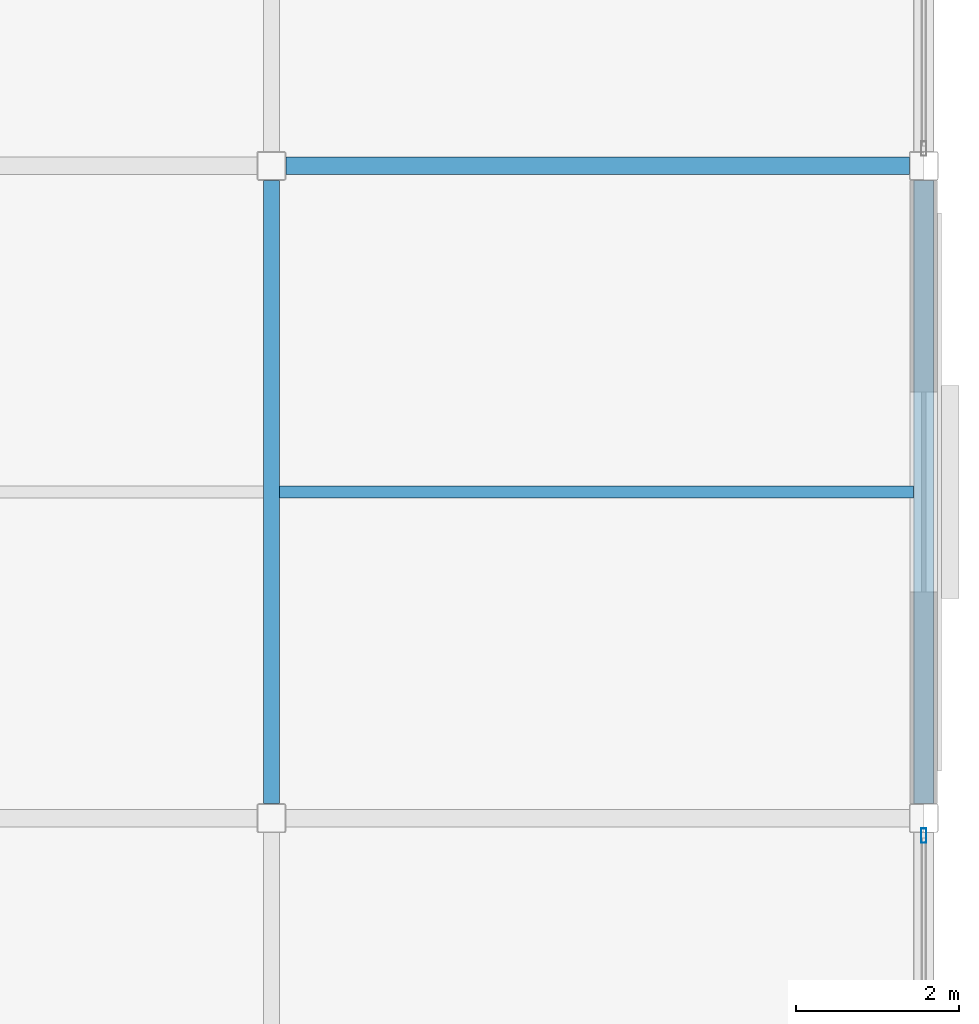
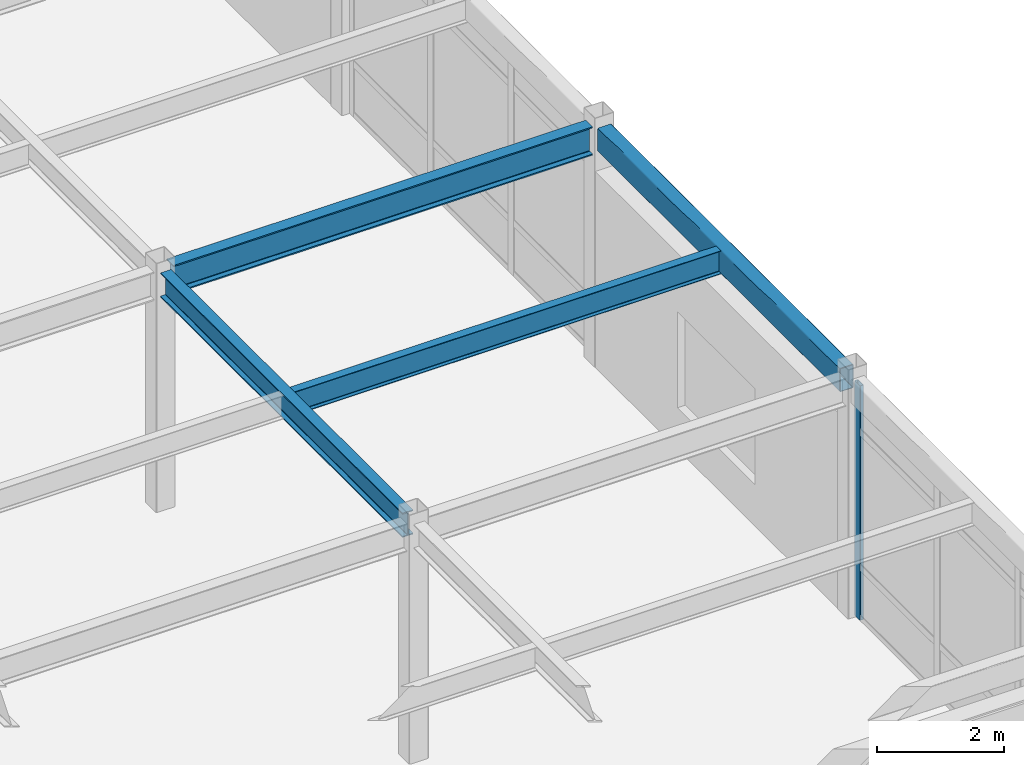
# One storey, part 69 of 117: 4 beams, 1 member, 1 element without a shape of its own.
"""IFC4 building model written with IfcOpenShell, lengths in metres."""

import ifcopenshell
import ifcopenshell.guid

model = None  # the IFC model being written
_history = None  # IfcOwnerHistory: only IFC2X3 demands one
_inside = {}  # id of a spatial element -> (the spatial element, [elements in it])
_under = {}  # id of a project, library or spatial element -> (it, [spatial elements below it])
_declared = {}  # id of a project -> (the project, [libraries it declares])
_typed = {}  # id of a type object -> (the type object, [elements of that type])
_made_of = {}  # id of a material, layer set ... -> (it, [elements and type objects made of it])


def new_model(schema):
    """Start an empty IFC model of exactly this schema.

    Asked for "IFC4X3", IfcOpenShell would pick the latest addendum, in which some entities
    have other attributes; the version numbers below select the first issue.
    IFC2X3 requires an IfcOwnerHistory on every rooted entity: one is made here for all.
    """
    global model, _history
    if schema == "IFC4X3":
        model = ifcopenshell.file(schema_version=(4, 3, 0, 0))
    else:
        model = ifcopenshell.file(schema=schema)
    _inside.clear()
    _under.clear()
    _declared.clear()
    _typed.clear()
    _made_of.clear()
    _history = None
    if model.schema == "IFC2X3":
        org = make("IfcOrganization", Name="unknown")
        user = make(
            "IfcPersonAndOrganization",
            ThePerson=make("IfcPerson", FamilyName="unknown"),
            TheOrganization=org,
        )
        app = make(
            "IfcApplication",
            ApplicationDeveloper=org,
            Version="unknown",
            ApplicationFullName="unknown",
            ApplicationIdentifier="unknown",
        )
        _history = make(
            "IfcOwnerHistory",
            OwningUser=user,
            OwningApplication=app,
            ChangeAction="ADDED",
            CreationDate=0,
        )
    return model


def make(cls, **values):
    """One entity of the class cls with the attributes given. An attribute that is None is left unset."""
    return model.create_entity(
        cls, **{name: value for name, value in values.items() if value is not None}
    )


def rooted(cls, **values):
    """An entity with a GlobalId (a new one), such as an element, a storey or a relation."""
    return make(cls, GlobalId=ifcopenshell.guid.new(), OwnerHistory=_history, **values)


def si_unit(unit_type, name, prefix=None):
    """IfcSIUnit, for example si_unit("LENGTHUNIT", "METRE", prefix="MILLI")."""
    return make("IfcSIUnit", UnitType=unit_type, Prefix=prefix, Name=name)


def assignment(units):
    """IfcUnitAssignment: the units of a project."""
    return None if units is None else make("IfcUnitAssignment", Units=units)


def point(xyz):
    """IfcCartesianPoint."""
    return None if xyz is None else make("IfcCartesianPoint", Coordinates=xyz)


def direction(xyz):
    """IfcDirection."""
    return None if xyz is None else make("IfcDirection", DirectionRatios=xyz)


def frame(location, z_axis=None, x_axis=None):
    """IfcAxis2Placement3D, a coordinate frame: its origin and axes. An axis left out is left unset."""
    return make(
        "IfcAxis2Placement3D",
        Location=point(location),
        Axis=direction(z_axis),
        RefDirection=direction(x_axis),
    )


def frame_2d(location, x_axis=None):
    """IfcAxis2Placement2D, a coordinate frame in the plane: its origin and x axis."""
    return make(
        "IfcAxis2Placement2D", Location=point(location), RefDirection=direction(x_axis)
    )


def origin():
    """The frame at (0, 0, 0) with its axes left unset."""
    return frame((0.0, 0.0, 0.0))


def origin_2d():
    """The frame at (0, 0) in the plane with its x axis left unset."""
    return frame_2d((0.0, 0.0))


def place(relative_to, where):
    """IfcLocalPlacement: puts the frame where relative to a parent placement (None: the world)."""
    return make(
        "IfcLocalPlacement", PlacementRelTo=relative_to, RelativePlacement=where
    )


def context(
    kind, dimensions, precision=None, world=None, true_north=None, identifier=None
):
    """IfcGeometricRepresentationContext, for example the 3D "Model" context."""
    return make(
        "IfcGeometricRepresentationContext",
        ContextIdentifier=identifier,
        ContextType=kind,
        CoordinateSpaceDimension=dimensions,
        Precision=precision,
        WorldCoordinateSystem=world,
        TrueNorth=true_north,
    )


def subcontext(parent, identifier, kind, view, scale=None):
    """IfcGeometricRepresentationSubContext, for example "Body" below "Model"."""
    return make(
        "IfcGeometricRepresentationSubContext",
        ContextIdentifier=identifier,
        ContextType=kind,
        ParentContext=parent,
        TargetScale=scale,
        TargetView=view,
    )


def project(units=None, contexts=None):
    """IfcProject with its units and contexts."""
    return rooted(
        "IfcProject",
        Name="project",
        RepresentationContexts=contexts,
        UnitsInContext=assignment(units),
    )


def spatial(cls, under=None, at=None, **own):
    """A site, building, storey or space (cls), placed at a placement, below another one or the project."""
    s = rooted(cls, ObjectPlacement=at, **own)
    if under is not None:
        _under.setdefault(under.id(), (under, []))[1].append(s)
    return s


def profile(cls, at=None, kind="AREA", **sizes):
    """A parametric profile (cls). Its sizes go by their IFC names, for example OverallWidth=200.0."""
    return make(cls, ProfileType=kind, Position=at, **sizes)


def hollow_rectangle(**sizes):
    """IfcRectangleHollowProfileDef."""
    return profile("IfcRectangleHollowProfileDef", **sizes)


def i_section(**sizes):
    """IfcIShapeProfileDef."""
    return profile("IfcIShapeProfileDef", **sizes)


def extrude(swept, where, along, depth):
    """IfcExtrudedAreaSolid: the profile swept, set in the frame where, extruded along a direction by depth."""
    return make(
        "IfcExtrudedAreaSolid",
        SweptArea=swept,
        Position=where,
        ExtrudedDirection=direction(along),
        Depth=depth,
    )


def shape(context_of_items, identifier, shape_type, items):
    """IfcShapeRepresentation: the items that make up one representation, for example the "Body"."""
    return make(
        "IfcShapeRepresentation",
        ContextOfItems=context_of_items,
        RepresentationIdentifier=identifier,
        RepresentationType=shape_type,
        Items=items,
    )


def material(Name=None, Category=None):
    """IfcMaterial."""
    return make("IfcMaterial", Name=Name, Category=Category)


def material_profile(
    of_material, cross_section, Name=None, Category=None, Priority=None
):
    """IfcMaterialProfile: a cross section and its material."""
    return make(
        "IfcMaterialProfile",
        Name=Name,
        Material=of_material,
        Profile=cross_section,
        Priority=Priority,
        Category=Category,
    )


def profile_set(profiles, Name=None, composite=None):
    """IfcMaterialProfileSet."""
    return make(
        "IfcMaterialProfileSet",
        Name=Name,
        MaterialProfiles=profiles,
        CompositeProfile=composite,
    )


def made_of(thing, what):
    """Note that an element or type object is made of a material, layer set ...; save() writes the relation."""
    if what is not None:
        _made_of.setdefault(what.id(), (what, []))[1].append(thing)
    return thing


def type_object(cls, material=None, **own):
    """A type object (cls), such as IfcWallType, which elements share."""
    return made_of(rooted(cls, **own), material)


def element(
    cls,
    number,
    at=None,
    inside=None,
    cuts=None,
    type_object=None,
    material=None,
    context=None,
    identifier="Body",
    shape_type=None,
    held_by="IfcProductDefinitionShape",
    body=None,
    shapes=None,
    **own,
):
    """One element of the class cls, such as IfcWall. Its Tag is "e" and its number.

    at: its placement. inside: the storey or other place that contains it. cuts: it is an
    opening in that element (IfcRelVoidsElement). A single representation is given by context,
    identifier, shape_type and body (its items); several are given by shapes. held_by: the class
    of the entity that holds the representations. save() writes the other relations.
    """
    e = rooted(cls, Tag="e%d" % number, ObjectPlacement=at, **own)
    if body is not None:
        shapes = [shape(context, identifier, shape_type, body)]
    if shapes is not None:
        e.Representation = make(held_by, Representations=shapes)
    if inside is not None:
        _inside.setdefault(inside.id(), (inside, []))[1].append(e)
    if cuts is not None:
        rooted(
            "IfcRelVoidsElement", RelatingBuildingElement=cuts, RelatedOpeningElement=e
        )
    if type_object is not None:
        _typed.setdefault(type_object.id(), (type_object, []))[1].append(e)
    return made_of(e, material)


def aggregate(whole, parts):
    """IfcRelAggregates: a whole, such as a stair, and the parts it consists of."""
    return rooted("IfcRelAggregates", RelatingObject=whole, RelatedObjects=parts)


def save(model, path):
    """Write the relations noted so far, then the file.

    IfcRelAggregates (storeys below a building ...), IfcRelContainedInSpatialStructure (elements
    in a storey), IfcRelDefinesByType, IfcRelAssociatesMaterial and IfcRelDeclares: one each for
    every whole, place, type object, material and project.
    """
    for whole, parts in _under.values():
        aggregate(whole, parts)
    for where, things in _inside.values():
        rooted(
            "IfcRelContainedInSpatialStructure",
            RelatedElements=things,
            RelatingStructure=where,
        )
    for kind, things in _typed.values():
        rooted("IfcRelDefinesByType", RelatedObjects=things, RelatingType=kind)
    for what, things in _made_of.values():
        rooted("IfcRelAssociatesMaterial", RelatedObjects=things, RelatingMaterial=what)
    for by, libraries in _declared.values():
        rooted("IfcRelDeclares", RelatingContext=by, RelatedDefinitions=libraries)
    model.write(path)


model = new_model("IFC4")

# Units and contexts
model_context = context("Model", 3, precision=1e-05, world=origin(), true_north=direction((0.0, 1.0)))
body_context = subcontext(model_context, "Body", "Model", "MODEL_VIEW")
ifc_project = project(units=[si_unit("LENGTHUNIT", "METRE"), si_unit("AREAUNIT", "SQUARE_METRE"), si_unit("VOLUMEUNIT", "CUBIC_METRE"), si_unit("PLANEANGLEUNIT", "RADIAN"), si_unit("MASSUNIT", "GRAM", prefix="KILO")], contexts=[model_context])

# Site, building, storey
site_placement = place(None, origin())
site = spatial("IfcSite", under=ifc_project, at=site_placement, CompositionType="ELEMENT")
building_placement = place(site_placement, origin())
building = spatial("IfcBuilding", under=site, at=building_placement, Name="Solmirada Galleria", CompositionType="ELEMENT")
storey_placement = place(building_placement, frame((0.0, 0.0, 5.60009765625)))
storey = spatial("IfcBuildingStorey", under=building, at=storey_placement, Name="L01", CompositionType="ELEMENT", Elevation=5.60009765625)

# Beams
ifc_material_1 = material(Name="Steel S355 / ASTM A992 Grade 50", Category="steel")
ifc_material_profile_1 = material_profile(ifc_material_1, i_section(OverallWidth=0.194091796875, OverallDepth=0.468994140625, WebThickness=0.0126953125, FlangeThickness=0.0205078125, FilletRadius=0.013916015625, at=origin_2d()), Name="W18X71")
ifc_profile_set_1 = profile_set([ifc_material_profile_1], Name="Steel S355 / ASTM A992 Grade 50")
beam_type_1 = type_object("IfcBeamType", Name="BM-GIRD-W18B", PredefinedType="BEAM", material=ifc_profile_set_1)
beam_1_placement = place(storey_placement, frame((168.0, 8.177978515625, 4.365478515625), z_axis=(0.0, 1.0, 0.0), x_axis=(-1.0, 0.0, 0.0)))
element("IfcBeam", 1, at=beam_1_placement, inside=storey, type_object=beam_type_1, Name="Primary girder L02 Y(168, 8..16)", PredefinedType="BEAM", context=body_context, shape_type="SweptSolid", body=[
    extrude(i_section(OverallWidth=0.194091796875, OverallDepth=0.468994140625, WebThickness=0.0126953125, FlangeThickness=0.0205078125, FilletRadius=0.013916015625, at=origin_2d()), origin(), (0.0, 0.0, 1.0), 7.64404296875),
])
ifc_material_profile_2 = material_profile(ifc_material_1, i_section(OverallWidth=0.214111328125, OverallDepth=0.549072265625, WebThickness=0.0146484375, FlangeThickness=0.023681640625, FilletRadius=0.014892578125, at=origin_2d()), Name="W21X93")
ifc_profile_set_2 = profile_set([ifc_material_profile_2], Name="Steel S355 / ASTM A992 Grade 50")
beam_type_2 = type_object("IfcBeamType", Name="BM-GIRD-W21A", PredefinedType="BEAM", material=ifc_profile_set_2)
beam_2_placement = place(storey_placement, frame((168.177978515625, 16.0, 4.325439453125), z_axis=(1.0, 0.0, 0.0), x_axis=(0.0, 1.0, 0.0)))
element("IfcBeam", 2, at=beam_2_placement, inside=storey, type_object=beam_type_2, Name="Primary beam L02 X(168..176, 16)", PredefinedType="BEAM", context=body_context, shape_type="SweptSolid", body=[
    extrude(i_section(OverallWidth=0.214111328125, OverallDepth=0.549072265625, WebThickness=0.0146484375, FlangeThickness=0.023681640625, FilletRadius=0.014892578125, at=origin_2d()), origin(), (0.0, 0.0, 1.0), 7.64404296875),
])
ifc_material_profile_3 = material_profile(ifc_material_1, i_section(OverallWidth=0.152099609375, OverallDepth=0.449951171875, WebThickness=0.007568359375, FlangeThickness=0.0107421875, FilletRadius=0.011962890625, at=origin_2d()), Name="W18X35")
ifc_profile_set_3 = profile_set([ifc_material_profile_3], Name="Steel S355 / ASTM A992 Grade 50")
beam_type_3 = type_object("IfcBeamType", Name="BM-JST-W18B", PredefinedType="JOIST", material=ifc_profile_set_3)
beam_3_placement = place(storey_placement, frame((168.096923828125, 12.0, 4.375), z_axis=(1.0, 0.0, 0.0), x_axis=(0.0, 1.0, 0.0)))
element("IfcBeam", 3, at=beam_3_placement, inside=storey, type_object=beam_type_3, Name="Composite floor joist L02 (168..176, 12.0)", PredefinedType="JOIST", context=body_context, shape_type="SweptSolid", body=[
    extrude(i_section(OverallWidth=0.152099609375, OverallDepth=0.449951171875, WebThickness=0.007568359375, FlangeThickness=0.0107421875, FilletRadius=0.011962890625, at=origin_2d()), origin(), (0.0, 0.0, 1.0), 7.776123046875),
])
ifc_material_2 = material(Name="Steel S355 / ASTM A500 Grade C", Category="steel")
ifc_material_profile_4 = material_profile(ifc_material_2, hollow_rectangle(XDim=0.25390625, YDim=0.45703125, WallThickness=0.01171875, InnerFilletRadius=0.01171875, OuterFilletRadius=0.023681640625, at=origin_2d()), Name="HSS18X10X1/2")
ifc_profile_set_4 = profile_set([ifc_material_profile_4], Name="Steel S355 / ASTM A500 Grade C")
beam_type_4 = type_object("IfcBeamType", Name="BM-SPAND-W18", PredefinedType="SPANDREL", material=ifc_profile_set_4)
beam_4_placement = place(storey_placement, frame((176.0, 8.177978515625, 4.371337890625), z_axis=(0.0, 1.0, 0.0), x_axis=(-1.0, 0.0, 0.0)))
element("IfcBeam", 4, at=beam_4_placement, inside=storey, type_object=beam_type_4, Name="Primary girder L02 Y(176, 8..16)", PredefinedType="SPANDREL", context=body_context, shape_type="SweptSolid", body=[
    extrude(hollow_rectangle(XDim=0.25390625, YDim=0.45703125, WallThickness=0.01171875, InnerFilletRadius=0.01171875, OuterFilletRadius=0.023681640625, at=origin_2d()), origin(), (0.0, 0.0, 1.0), 7.64404296875),
])

# Curtain wall, member
ifc_material_3 = material(Name="Impact-resistant low-E double glazing", Category="glass")
curtain_wall_type = type_object("IfcCurtainWallType", Name="CW-FZ5-L01-B3-L076", PredefinedType="NOTDEFINED", material=ifc_material_3)
curtain_wall_placement = place(storey_placement, origin())
curtain_wall = element("IfcCurtainWall", 5, at=curtain_wall_placement, inside=storey, type_object=curtain_wall_type, Name="Terrace and arcade storefront CW-L01-079", PredefinedType="NOTDEFINED")
ifc_material_4 = material(Name="Anodised aluminium framing", Category="aluminium")
ifc_material_profile_5 = material_profile(ifc_material_4, hollow_rectangle(XDim=0.06494140625, YDim=0.179931640625, WallThickness=0.00390625, InnerFilletRadius=0.00390625, OuterFilletRadius=0.008056640625, at=origin_2d()), Name="ALU-MULL-180X65")
ifc_profile_set_5 = profile_set([ifc_material_profile_5], Name="Anodised aluminium framing")
member_type = type_object("IfcMemberType", Name="CW-MULL-180", PredefinedType="MULLION", material=ifc_profile_set_5)
member_placement = place(storey_placement, frame((176.0, 7.78759765625, 0.0), z_axis=(0.0, 0.0, 1.0), x_axis=(1.0, 0.0, 0.0)))
member = element("IfcMember", 6, at=member_placement, type_object=member_type, Name="CW18 mullion 1", PredefinedType="MULLION", context=body_context, shape_type="SweptSolid", body=[
    extrude(hollow_rectangle(XDim=0.06494140625, YDim=0.179931640625, WallThickness=0.00390625, InnerFilletRadius=0.00390625, OuterFilletRadius=0.008056640625, at=origin_2d()), origin(), (0.0, 0.0, 1.0), 4.52001953125),
])
aggregate(curtain_wall, [member])

save(model, "model.ifc")
